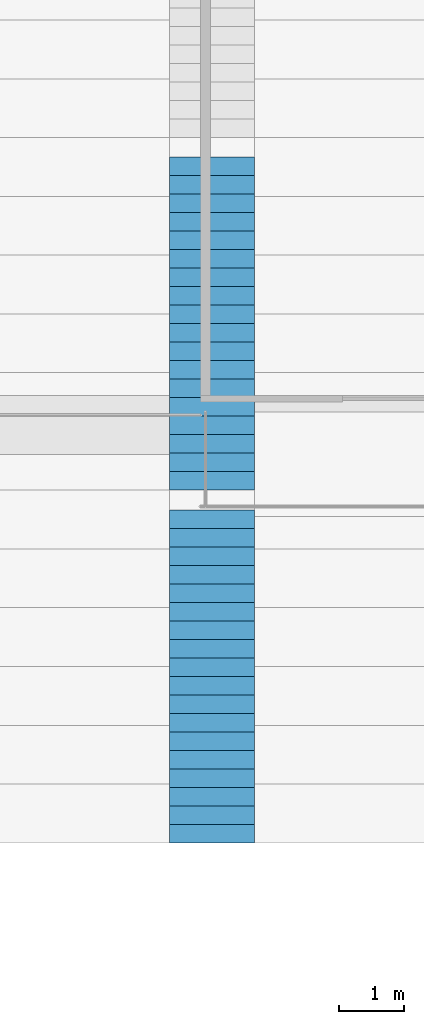
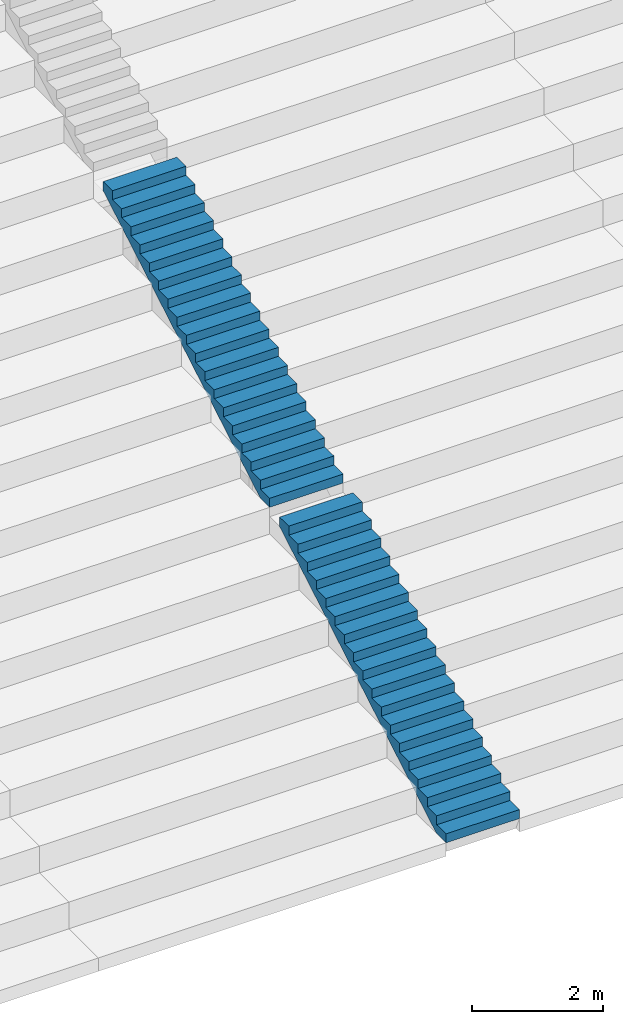
# One storey, part 204 of 249: 2 stair flights, 1 element without a shape of its own.
"""IFC4 building model written with IfcOpenShell, lengths in metres."""

import ifcopenshell
import ifcopenshell.guid

model = None  # the IFC model being written
_history = None  # IfcOwnerHistory: only IFC2X3 demands one
_inside = {}  # id of a spatial element -> (the spatial element, [elements in it])
_under = {}  # id of a project, library or spatial element -> (it, [spatial elements below it])
_declared = {}  # id of a project -> (the project, [libraries it declares])
_typed = {}  # id of a type object -> (the type object, [elements of that type])
_made_of = {}  # id of a material, layer set ... -> (it, [elements and type objects made of it])


def new_model(schema):
    """Start an empty IFC model of exactly this schema.

    Asked for "IFC4X3", IfcOpenShell would pick the latest addendum, in which some entities
    have other attributes; the version numbers below select the first issue.
    IFC2X3 requires an IfcOwnerHistory on every rooted entity: one is made here for all.
    """
    global model, _history
    if schema == "IFC4X3":
        model = ifcopenshell.file(schema_version=(4, 3, 0, 0))
    else:
        model = ifcopenshell.file(schema=schema)
    _inside.clear()
    _under.clear()
    _declared.clear()
    _typed.clear()
    _made_of.clear()
    _history = None
    if model.schema == "IFC2X3":
        org = make("IfcOrganization", Name="unknown")
        user = make(
            "IfcPersonAndOrganization",
            ThePerson=make("IfcPerson", FamilyName="unknown"),
            TheOrganization=org,
        )
        app = make(
            "IfcApplication",
            ApplicationDeveloper=org,
            Version="unknown",
            ApplicationFullName="unknown",
            ApplicationIdentifier="unknown",
        )
        _history = make(
            "IfcOwnerHistory",
            OwningUser=user,
            OwningApplication=app,
            ChangeAction="ADDED",
            CreationDate=0,
        )
    return model


def make(cls, **values):
    """One entity of the class cls with the attributes given. An attribute that is None is left unset."""
    return model.create_entity(
        cls, **{name: value for name, value in values.items() if value is not None}
    )


def rooted(cls, **values):
    """An entity with a GlobalId (a new one), such as an element, a storey or a relation."""
    return make(cls, GlobalId=ifcopenshell.guid.new(), OwnerHistory=_history, **values)


def si_unit(unit_type, name, prefix=None):
    """IfcSIUnit, for example si_unit("LENGTHUNIT", "METRE", prefix="MILLI")."""
    return make("IfcSIUnit", UnitType=unit_type, Prefix=prefix, Name=name)


def assignment(units):
    """IfcUnitAssignment: the units of a project."""
    return None if units is None else make("IfcUnitAssignment", Units=units)


def point(xyz):
    """IfcCartesianPoint."""
    return None if xyz is None else make("IfcCartesianPoint", Coordinates=xyz)


def direction(xyz):
    """IfcDirection."""
    return None if xyz is None else make("IfcDirection", DirectionRatios=xyz)


def frame(location, z_axis=None, x_axis=None):
    """IfcAxis2Placement3D, a coordinate frame: its origin and axes. An axis left out is left unset."""
    return make(
        "IfcAxis2Placement3D",
        Location=point(location),
        Axis=direction(z_axis),
        RefDirection=direction(x_axis),
    )


def origin():
    """The frame at (0, 0, 0) with its axes left unset."""
    return frame((0.0, 0.0, 0.0))


def place(relative_to, where):
    """IfcLocalPlacement: puts the frame where relative to a parent placement (None: the world)."""
    return make(
        "IfcLocalPlacement", PlacementRelTo=relative_to, RelativePlacement=where
    )


def context(
    kind, dimensions, precision=None, world=None, true_north=None, identifier=None
):
    """IfcGeometricRepresentationContext, for example the 3D "Model" context."""
    return make(
        "IfcGeometricRepresentationContext",
        ContextIdentifier=identifier,
        ContextType=kind,
        CoordinateSpaceDimension=dimensions,
        Precision=precision,
        WorldCoordinateSystem=world,
        TrueNorth=true_north,
    )


def subcontext(parent, identifier, kind, view, scale=None):
    """IfcGeometricRepresentationSubContext, for example "Body" below "Model"."""
    return make(
        "IfcGeometricRepresentationSubContext",
        ContextIdentifier=identifier,
        ContextType=kind,
        ParentContext=parent,
        TargetScale=scale,
        TargetView=view,
    )


def project(units=None, contexts=None):
    """IfcProject with its units and contexts."""
    return rooted(
        "IfcProject",
        Name="project",
        RepresentationContexts=contexts,
        UnitsInContext=assignment(units),
    )


def spatial(cls, under=None, at=None, **own):
    """A site, building, storey or space (cls), placed at a placement, below another one or the project."""
    s = rooted(cls, ObjectPlacement=at, **own)
    if under is not None:
        _under.setdefault(under.id(), (under, []))[1].append(s)
    return s


def faces_of(points, faces, orient=None, outer=None):
    """IfcFace entities. A face is a list of loops; a loop is a list of indices into points, from 0.

    orient and outer hold one flag for each loop. By default every Orientation is true, the
    first loop of a face is its IfcFaceOuterBound and the others are IfcFaceBound.
    """
    made = []
    for i, loops in enumerate(faces):
        bounds = []
        for j, loop in enumerate(loops):
            is_outer = j == 0 if outer is None else outer[i][j]
            bounds.append(
                make(
                    "IfcFaceOuterBound" if is_outer else "IfcFaceBound",
                    Bound=make("IfcPolyLoop", Polygon=[points[k] for k in loop]),
                    Orientation=True if orient is None else orient[i][j],
                )
            )
        made.append(make("IfcFace", Bounds=bounds))
    return made


def faceted_brep(points, faces, orient=None, outer=None, voids=None):
    """IfcFacetedBrep: a solid bounded by flat faces; with voids (closed shells), ...WithVoids."""
    shared = [point(p) for p in points]
    hull = make("IfcClosedShell", CfsFaces=faces_of(shared, faces, orient, outer))
    if voids is None:
        return make("IfcFacetedBrep", Outer=hull)
    return make(
        "IfcFacetedBrepWithVoids",
        Outer=hull,
        Voids=[
            make(cls, CfsFaces=faces_of(shared, fs, o, b)) for cls, fs, o, b in voids
        ],
    )


def shape(context_of_items, identifier, shape_type, items):
    """IfcShapeRepresentation: the items that make up one representation, for example the "Body"."""
    return make(
        "IfcShapeRepresentation",
        ContextOfItems=context_of_items,
        RepresentationIdentifier=identifier,
        RepresentationType=shape_type,
        Items=items,
    )


def material(Name=None, Category=None):
    """IfcMaterial."""
    return make("IfcMaterial", Name=Name, Category=Category)


def made_of(thing, what):
    """Note that an element or type object is made of a material, layer set ...; save() writes the relation."""
    if what is not None:
        _made_of.setdefault(what.id(), (what, []))[1].append(thing)
    return thing


def type_object(cls, material=None, **own):
    """A type object (cls), such as IfcWallType, which elements share."""
    return made_of(rooted(cls, **own), material)


def element(
    cls,
    number,
    at=None,
    inside=None,
    cuts=None,
    type_object=None,
    material=None,
    context=None,
    identifier="Body",
    shape_type=None,
    held_by="IfcProductDefinitionShape",
    body=None,
    shapes=None,
    **own,
):
    """One element of the class cls, such as IfcWall. Its Tag is "e" and its number.

    at: its placement. inside: the storey or other place that contains it. cuts: it is an
    opening in that element (IfcRelVoidsElement). A single representation is given by context,
    identifier, shape_type and body (its items); several are given by shapes. held_by: the class
    of the entity that holds the representations. save() writes the other relations.
    """
    e = rooted(cls, Tag="e%d" % number, ObjectPlacement=at, **own)
    if body is not None:
        shapes = [shape(context, identifier, shape_type, body)]
    if shapes is not None:
        e.Representation = make(held_by, Representations=shapes)
    if inside is not None:
        _inside.setdefault(inside.id(), (inside, []))[1].append(e)
    if cuts is not None:
        rooted(
            "IfcRelVoidsElement", RelatingBuildingElement=cuts, RelatedOpeningElement=e
        )
    if type_object is not None:
        _typed.setdefault(type_object.id(), (type_object, []))[1].append(e)
    return made_of(e, material)


def aggregate(whole, parts):
    """IfcRelAggregates: a whole, such as a stair, and the parts it consists of."""
    return rooted("IfcRelAggregates", RelatingObject=whole, RelatedObjects=parts)


def save(model, path):
    """Write the relations noted so far, then the file.

    IfcRelAggregates (storeys below a building ...), IfcRelContainedInSpatialStructure (elements
    in a storey), IfcRelDefinesByType, IfcRelAssociatesMaterial and IfcRelDeclares: one each for
    every whole, place, type object, material and project.
    """
    for whole, parts in _under.values():
        aggregate(whole, parts)
    for where, things in _inside.values():
        rooted(
            "IfcRelContainedInSpatialStructure",
            RelatedElements=things,
            RelatingStructure=where,
        )
    for kind, things in _typed.values():
        rooted("IfcRelDefinesByType", RelatedObjects=things, RelatingType=kind)
    for what, things in _made_of.values():
        rooted("IfcRelAssociatesMaterial", RelatedObjects=things, RelatingMaterial=what)
    for by, libraries in _declared.values():
        rooted("IfcRelDeclares", RelatingContext=by, RelatedDefinitions=libraries)
    model.write(path)


model = new_model("IFC4")

# Units and contexts
model_context = context("Model", 3, precision=1e-05, world=origin(), true_north=direction((0.0, 1.0)))
body_context = subcontext(model_context, "Body", "Model", "MODEL_VIEW")
ifc_project = project(units=[si_unit("LENGTHUNIT", "METRE"), si_unit("AREAUNIT", "SQUARE_METRE"), si_unit("VOLUMEUNIT", "CUBIC_METRE"), si_unit("PLANEANGLEUNIT", "RADIAN"), si_unit("MASSUNIT", "GRAM", prefix="KILO")], contexts=[model_context])

# Site, building, storey
site_placement = place(None, origin())
site = spatial("IfcSite", under=ifc_project, at=site_placement, CompositionType="ELEMENT")
building_placement = place(site_placement, origin())
building = spatial("IfcBuilding", under=site, at=building_placement, Name="Ogive Plaza Stadium", CompositionType="ELEMENT")
storey_placement = place(building_placement, frame((0.0, 0.0, 13.5)))
storey = spatial("IfcBuildingStorey", under=building, at=storey_placement, Name="L03", CompositionType="ELEMENT", Elevation=13.5)

# Stair, stair flights
ifc_material_1 = material(Name="Concrete C40/50", Category="concrete")
stair_type = type_object("IfcStairType", Name="Aisle stair", PredefinedType="STRAIGHT_RUN_STAIR", material=ifc_material_1)
stair_placement = place(storey_placement, origin())
stair = element("IfcStair", 1, at=stair_placement, inside=storey, type_object=stair_type, Name="Aisle stair SA35U", PredefinedType="STRAIGHT_RUN_STAIR")
ifc_material_2 = material(Name="Concrete C40/50", Category="concrete")
stair_flight_type = type_object("IfcStairFlightType", Name="Aisle stair flight", PredefinedType="STRAIGHT", material=ifc_material_2)
stair_flight_1_placement = place(storey_placement, frame((13.60009765625, 74.0, 0.5), z_axis=(0.0, 0.0, 1.0), x_axis=(0.0, 1.0, 0.0)))
stair_flight_1 = element("IfcStairFlight", 2, at=stair_flight_1_placement, type_object=stair_flight_type, Name="SA35U flight 1", NumberOfRisers=18, NumberOfTreads=17, PredefinedType="STRAIGHT", RiserHeight=0.166666667, TreadLength=0.283333333, context=body_context, shape_type="Brep", body=[
    faceted_brep([(0.295654296875, -0.64990234375, 0.0), (5.10009765625, -0.64990234375, 2.826171875), (5.10009765625, -0.64990234375, 3.0), (4.816650390625, -0.64990234375, 3.0), (4.816650390625, -0.64990234375, 2.833251953125), (4.533447265625, -0.64990234375, 2.833251953125), (4.533447265625, -0.64990234375, 2.666748046875), (4.25, -0.64990234375, 2.666748046875), (4.25, -0.64990234375, 2.5), (3.966552734375, -0.64990234375, 2.5), (3.966552734375, -0.64990234375, 2.333251953125), (3.683349609375, -0.64990234375, 2.333251953125), (3.683349609375, -0.64990234375, 2.166748046875), (3.39990234375, -0.64990234375, 2.166748046875), (3.39990234375, -0.64990234375, 2.0), (3.11669921875, -0.64990234375, 2.0), (3.11669921875, -0.64990234375, 1.833251953125), (2.833251953125, -0.64990234375, 1.833251953125), (2.833251953125, -0.64990234375, 1.666748046875), (2.550048828125, -0.64990234375, 1.666748046875), (2.550048828125, -0.64990234375, 1.5), (2.2666015625, -0.64990234375, 1.5), (2.2666015625, -0.64990234375, 1.333251953125), (1.9833984375, -0.64990234375, 1.333251953125), (1.9833984375, -0.64990234375, 1.166748046875), (1.699951171875, -0.64990234375, 1.166748046875), (1.699951171875, -0.64990234375, 1.0), (1.416748046875, -0.64990234375, 1.0), (1.416748046875, -0.64990234375, 0.833251953125), (1.13330078125, -0.64990234375, 0.833251953125), (1.13330078125, -0.64990234375, 0.666748046875), (0.85009765625, -0.64990234375, 0.666748046875), (0.85009765625, -0.64990234375, 0.5), (0.566650390625, -0.64990234375, 0.5), (0.566650390625, -0.64990234375, 0.333251953125), (0.283447265625, -0.64990234375, 0.333251953125), (0.283447265625, -0.64990234375, 0.166748046875), (0.0, -0.64990234375, 0.166748046875), (0.0, -0.64990234375, 0.0), (0.0, 0.64990234375, 0.0), (0.0, 0.64990234375, 0.166748046875), (0.283447265625, 0.64990234375, 0.166748046875), (0.283447265625, 0.64990234375, 0.333251953125), (0.566650390625, 0.64990234375, 0.333251953125), (0.566650390625, 0.64990234375, 0.5), (0.85009765625, 0.64990234375, 0.5), (0.85009765625, 0.64990234375, 0.666748046875), (1.13330078125, 0.64990234375, 0.666748046875), (1.13330078125, 0.64990234375, 0.833251953125), (1.416748046875, 0.64990234375, 0.833251953125), (1.416748046875, 0.64990234375, 1.0), (1.699951171875, 0.64990234375, 1.0), (1.699951171875, 0.64990234375, 1.166748046875), (1.9833984375, 0.64990234375, 1.166748046875), (1.9833984375, 0.64990234375, 1.333251953125), (2.2666015625, 0.64990234375, 1.333251953125), (2.2666015625, 0.64990234375, 1.5), (2.550048828125, 0.64990234375, 1.5), (2.550048828125, 0.64990234375, 1.666748046875), (2.833251953125, 0.64990234375, 1.666748046875), (2.833251953125, 0.64990234375, 1.833251953125), (3.11669921875, 0.64990234375, 1.833251953125), (3.11669921875, 0.64990234375, 2.0), (3.39990234375, 0.64990234375, 2.0), (3.39990234375, 0.64990234375, 2.166748046875), (3.683349609375, 0.64990234375, 2.166748046875), (3.683349609375, 0.64990234375, 2.333251953125), (3.966552734375, 0.64990234375, 2.333251953125), (3.966552734375, 0.64990234375, 2.5), (4.25, 0.64990234375, 2.5), (4.25, 0.64990234375, 2.666748046875), (4.533447265625, 0.64990234375, 2.666748046875), (4.533447265625, 0.64990234375, 2.833251953125), (4.816650390625, 0.64990234375, 2.833251953125), (4.816650390625, 0.64990234375, 3.0), (5.10009765625, 0.64990234375, 3.0), (5.10009765625, 0.64990234375, 2.826171875), (0.295654296875, 0.64990234375, 0.0), (0.295654296875, -0.324951171875, 0.0), (5.10009765625, -0.324951171875, 2.826171875), (0.295654296875, 0.0, 0.0), (5.10009765625, 0.0, 2.826171875), (0.295654296875, 0.324951171875, 0.0), (5.10009765625, 0.324951171875, 2.826171875), (5.10009765625, -0.324951171875, 3.0), (5.10009765625, 0.0, 3.0), (5.10009765625, 0.324951171875, 3.0), (4.816650390625, -0.324951171875, 3.0), (4.816650390625, 0.0, 3.0), (4.816650390625, 0.324951171875, 3.0), (4.816650390625, -0.324951171875, 2.833251953125), (4.816650390625, 0.0, 2.833251953125), (4.816650390625, 0.324951171875, 2.833251953125), (4.533447265625, -0.324951171875, 2.833251953125), (4.533447265625, 0.0, 2.833251953125), (4.533447265625, 0.324951171875, 2.833251953125), (4.533447265625, -0.324951171875, 2.666748046875), (4.533447265625, 0.0, 2.666748046875), (4.533447265625, 0.324951171875, 2.666748046875), (4.25, -0.324951171875, 2.666748046875), (4.25, 0.0, 2.666748046875), (4.25, 0.324951171875, 2.666748046875), (4.25, -0.324951171875, 2.5), (4.25, 0.0, 2.5), (4.25, 0.324951171875, 2.5), (3.966552734375, -0.324951171875, 2.5), (3.966552734375, 0.0, 2.5), (3.966552734375, 0.324951171875, 2.5), (3.966552734375, -0.324951171875, 2.333251953125), (3.966552734375, 0.0, 2.333251953125), (3.966552734375, 0.324951171875, 2.333251953125), (3.683349609375, -0.324951171875, 2.333251953125), (3.683349609375, 0.0, 2.333251953125), (3.683349609375, 0.324951171875, 2.333251953125), (3.683349609375, -0.324951171875, 2.166748046875), (3.683349609375, 0.0, 2.166748046875), (3.683349609375, 0.324951171875, 2.166748046875), (3.39990234375, -0.324951171875, 2.166748046875), (3.39990234375, 0.0, 2.166748046875), (3.39990234375, 0.324951171875, 2.166748046875), (3.39990234375, -0.324951171875, 2.0), (3.39990234375, 0.0, 2.0), (3.39990234375, 0.324951171875, 2.0), (3.11669921875, -0.324951171875, 2.0), (3.11669921875, 0.0, 2.0), (3.11669921875, 0.324951171875, 2.0), (3.11669921875, -0.324951171875, 1.833251953125), (3.11669921875, 0.0, 1.833251953125), (3.11669921875, 0.324951171875, 1.833251953125), (2.833251953125, -0.324951171875, 1.833251953125), (2.833251953125, 0.0, 1.833251953125), (2.833251953125, 0.324951171875, 1.833251953125), (2.833251953125, -0.324951171875, 1.666748046875), (2.833251953125, 0.0, 1.666748046875), (2.833251953125, 0.324951171875, 1.666748046875), (2.550048828125, -0.324951171875, 1.666748046875), (2.550048828125, 0.0, 1.666748046875), (2.550048828125, 0.324951171875, 1.666748046875), (2.550048828125, -0.324951171875, 1.5), (2.550048828125, 0.0, 1.5), (2.550048828125, 0.324951171875, 1.5), (2.2666015625, -0.324951171875, 1.5), (2.2666015625, 0.0, 1.5), (2.2666015625, 0.324951171875, 1.5), (2.2666015625, -0.324951171875, 1.333251953125), (2.2666015625, 0.0, 1.333251953125), (2.2666015625, 0.324951171875, 1.333251953125), (1.9833984375, -0.324951171875, 1.333251953125), (1.9833984375, 0.0, 1.333251953125), (1.9833984375, 0.324951171875, 1.333251953125), (1.9833984375, -0.324951171875, 1.166748046875), (1.9833984375, 0.0, 1.166748046875), (1.9833984375, 0.324951171875, 1.166748046875), (1.699951171875, -0.324951171875, 1.166748046875), (1.699951171875, 0.0, 1.166748046875), (1.699951171875, 0.324951171875, 1.166748046875), (1.699951171875, -0.324951171875, 1.0), (1.699951171875, 0.0, 1.0), (1.699951171875, 0.324951171875, 1.0), (1.416748046875, -0.324951171875, 1.0), (1.416748046875, 0.0, 1.0), (1.416748046875, 0.324951171875, 1.0), (1.416748046875, -0.324951171875, 0.833251953125), (1.416748046875, 0.0, 0.833251953125), (1.416748046875, 0.324951171875, 0.833251953125), (1.13330078125, -0.324951171875, 0.833251953125), (1.13330078125, 0.0, 0.833251953125), (1.13330078125, 0.324951171875, 0.833251953125), (1.13330078125, -0.324951171875, 0.666748046875), (1.13330078125, 0.0, 0.666748046875), (1.13330078125, 0.324951171875, 0.666748046875), (0.85009765625, -0.324951171875, 0.666748046875), (0.85009765625, 0.0, 0.666748046875), (0.85009765625, 0.324951171875, 0.666748046875), (0.85009765625, -0.324951171875, 0.5), (0.85009765625, 0.0, 0.5), (0.85009765625, 0.324951171875, 0.5), (0.566650390625, -0.324951171875, 0.5), (0.566650390625, 0.0, 0.5), (0.566650390625, 0.324951171875, 0.5), (0.566650390625, -0.324951171875, 0.333251953125), (0.566650390625, 0.0, 0.333251953125), (0.566650390625, 0.324951171875, 0.333251953125), (0.283447265625, -0.324951171875, 0.333251953125), (0.283447265625, 0.0, 0.333251953125), (0.283447265625, 0.324951171875, 0.333251953125), (0.283447265625, -0.324951171875, 0.166748046875), (0.283447265625, 0.0, 0.166748046875), (0.283447265625, 0.324951171875, 0.166748046875), (0.0, -0.324951171875, 0.166748046875), (0.0, 0.0, 0.166748046875), (0.0, 0.324951171875, 0.166748046875), (0.0, -0.324951171875, 0.0), (0.0, 0.0, 0.0), (0.0, 0.324951171875, 0.0)], [[[0, 1, 2, 3, 4, 5, 6, 7, 8, 9, 10, 11, 12, 13, 14, 15, 16, 17, 18, 19, 20, 21, 22, 23, 24, 25, 26, 27, 28, 29, 30, 31, 32, 33, 34, 35, 36, 37, 38]], [[39, 40, 41, 42, 43, 44, 45, 46, 47, 48, 49, 50, 51, 52, 53, 54, 55, 56, 57, 58, 59, 60, 61, 62, 63, 64, 65, 66, 67, 68, 69, 70, 71, 72, 73, 74, 75, 76, 77]], [[0, 78, 79, 1]], [[78, 80, 81, 79]], [[80, 82, 83, 81]], [[82, 77, 76, 83]], [[1, 79, 84, 2]], [[79, 81, 85, 84]], [[81, 83, 86, 85]], [[83, 76, 75, 86]], [[2, 84, 87, 3]], [[84, 85, 88, 87]], [[85, 86, 89, 88]], [[86, 75, 74, 89]], [[3, 87, 90, 4]], [[87, 88, 91, 90]], [[88, 89, 92, 91]], [[89, 74, 73, 92]], [[4, 90, 93, 5]], [[90, 91, 94, 93]], [[91, 92, 95, 94]], [[92, 73, 72, 95]], [[5, 93, 96, 6]], [[93, 94, 97, 96]], [[94, 95, 98, 97]], [[95, 72, 71, 98]], [[6, 96, 99, 7]], [[96, 97, 100, 99]], [[97, 98, 101, 100]], [[98, 71, 70, 101]], [[7, 99, 102, 8]], [[99, 100, 103, 102]], [[100, 101, 104, 103]], [[101, 70, 69, 104]], [[8, 102, 105, 9]], [[102, 103, 106, 105]], [[103, 104, 107, 106]], [[104, 69, 68, 107]], [[9, 105, 108, 10]], [[105, 106, 109, 108]], [[106, 107, 110, 109]], [[107, 68, 67, 110]], [[10, 108, 111, 11]], [[108, 109, 112, 111]], [[109, 110, 113, 112]], [[110, 67, 66, 113]], [[11, 111, 114, 12]], [[111, 112, 115, 114]], [[112, 113, 116, 115]], [[113, 66, 65, 116]], [[12, 114, 117, 13]], [[114, 115, 118, 117]], [[115, 116, 119, 118]], [[116, 65, 64, 119]], [[13, 117, 120, 14]], [[117, 118, 121, 120]], [[118, 119, 122, 121]], [[119, 64, 63, 122]], [[14, 120, 123, 15]], [[120, 121, 124, 123]], [[121, 122, 125, 124]], [[122, 63, 62, 125]], [[15, 123, 126, 16]], [[123, 124, 127, 126]], [[124, 125, 128, 127]], [[125, 62, 61, 128]], [[16, 126, 129, 17]], [[126, 127, 130, 129]], [[127, 128, 131, 130]], [[128, 61, 60, 131]], [[17, 129, 132, 18]], [[129, 130, 133, 132]], [[130, 131, 134, 133]], [[131, 60, 59, 134]], [[18, 132, 135, 19]], [[132, 133, 136, 135]], [[133, 134, 137, 136]], [[134, 59, 58, 137]], [[19, 135, 138, 20]], [[135, 136, 139, 138]], [[136, 137, 140, 139]], [[137, 58, 57, 140]], [[20, 138, 141, 21]], [[138, 139, 142, 141]], [[139, 140, 143, 142]], [[140, 57, 56, 143]], [[21, 141, 144, 22]], [[141, 142, 145, 144]], [[142, 143, 146, 145]], [[143, 56, 55, 146]], [[22, 144, 147, 23]], [[144, 145, 148, 147]], [[145, 146, 149, 148]], [[146, 55, 54, 149]], [[23, 147, 150, 24]], [[147, 148, 151, 150]], [[148, 149, 152, 151]], [[149, 54, 53, 152]], [[24, 150, 153, 25]], [[150, 151, 154, 153]], [[151, 152, 155, 154]], [[152, 53, 52, 155]], [[25, 153, 156, 26]], [[153, 154, 157, 156]], [[154, 155, 158, 157]], [[155, 52, 51, 158]], [[26, 156, 159, 27]], [[156, 157, 160, 159]], [[157, 158, 161, 160]], [[158, 51, 50, 161]], [[27, 159, 162, 28]], [[159, 160, 163, 162]], [[160, 161, 164, 163]], [[161, 50, 49, 164]], [[28, 162, 165, 29]], [[162, 163, 166, 165]], [[163, 164, 167, 166]], [[164, 49, 48, 167]], [[29, 165, 168, 30]], [[165, 166, 169, 168]], [[166, 167, 170, 169]], [[167, 48, 47, 170]], [[30, 168, 171, 31]], [[168, 169, 172, 171]], [[169, 170, 173, 172]], [[170, 47, 46, 173]], [[31, 171, 174, 32]], [[171, 172, 175, 174]], [[172, 173, 176, 175]], [[173, 46, 45, 176]], [[32, 174, 177, 33]], [[174, 175, 178, 177]], [[175, 176, 179, 178]], [[176, 45, 44, 179]], [[33, 177, 180, 34]], [[177, 178, 181, 180]], [[178, 179, 182, 181]], [[179, 44, 43, 182]], [[34, 180, 183, 35]], [[180, 181, 184, 183]], [[181, 182, 185, 184]], [[182, 43, 42, 185]], [[35, 183, 186, 36]], [[183, 184, 187, 186]], [[184, 185, 188, 187]], [[185, 42, 41, 188]], [[36, 186, 189, 37]], [[186, 187, 190, 189]], [[187, 188, 191, 190]], [[188, 41, 40, 191]], [[37, 189, 192, 38]], [[189, 190, 193, 192]], [[190, 191, 194, 193]], [[191, 40, 39, 194]], [[38, 192, 78, 0]], [[192, 193, 80, 78]], [[193, 194, 82, 80]], [[194, 39, 77, 82]]]),
])
stair_flight_2_placement = place(storey_placement, frame((13.60009765625, 79.39990234375, 3.5), z_axis=(0.0, 0.0, 1.0), x_axis=(0.0, 1.0, 0.0)))
stair_flight_2 = element("IfcStairFlight", 3, at=stair_flight_2_placement, type_object=stair_flight_type, Name="SA35U flight 2", NumberOfRisers=18, NumberOfTreads=17, PredefinedType="STRAIGHT", RiserHeight=0.166666667, TreadLength=0.283333333, context=body_context, shape_type="Brep", body=[
    faceted_brep([(0.295654296875, -0.64990234375, 0.0), (5.10009765625, -0.64990234375, 2.826171875), (5.10009765625, -0.64990234375, 3.0), (4.816650390625, -0.64990234375, 3.0), (4.816650390625, -0.64990234375, 2.833251953125), (4.533447265625, -0.64990234375, 2.833251953125), (4.533447265625, -0.64990234375, 2.666748046875), (4.25, -0.64990234375, 2.666748046875), (4.25, -0.64990234375, 2.5), (3.966552734375, -0.64990234375, 2.5), (3.966552734375, -0.64990234375, 2.333251953125), (3.683349609375, -0.64990234375, 2.333251953125), (3.683349609375, -0.64990234375, 2.166748046875), (3.39990234375, -0.64990234375, 2.166748046875), (3.39990234375, -0.64990234375, 2.0), (3.11669921875, -0.64990234375, 2.0), (3.11669921875, -0.64990234375, 1.833251953125), (2.833251953125, -0.64990234375, 1.833251953125), (2.833251953125, -0.64990234375, 1.666748046875), (2.550048828125, -0.64990234375, 1.666748046875), (2.550048828125, -0.64990234375, 1.5), (2.2666015625, -0.64990234375, 1.5), (2.2666015625, -0.64990234375, 1.333251953125), (1.9833984375, -0.64990234375, 1.333251953125), (1.9833984375, -0.64990234375, 1.166748046875), (1.699951171875, -0.64990234375, 1.166748046875), (1.699951171875, -0.64990234375, 1.0), (1.416748046875, -0.64990234375, 1.0), (1.416748046875, -0.64990234375, 0.833251953125), (1.13330078125, -0.64990234375, 0.833251953125), (1.13330078125, -0.64990234375, 0.666748046875), (0.85009765625, -0.64990234375, 0.666748046875), (0.85009765625, -0.64990234375, 0.5), (0.566650390625, -0.64990234375, 0.5), (0.566650390625, -0.64990234375, 0.333251953125), (0.283447265625, -0.64990234375, 0.333251953125), (0.283447265625, -0.64990234375, 0.166748046875), (0.0, -0.64990234375, 0.166748046875), (0.0, -0.64990234375, 0.0), (0.0, 0.64990234375, 0.0), (0.0, 0.64990234375, 0.166748046875), (0.283447265625, 0.64990234375, 0.166748046875), (0.283447265625, 0.64990234375, 0.333251953125), (0.566650390625, 0.64990234375, 0.333251953125), (0.566650390625, 0.64990234375, 0.5), (0.85009765625, 0.64990234375, 0.5), (0.85009765625, 0.64990234375, 0.666748046875), (1.13330078125, 0.64990234375, 0.666748046875), (1.13330078125, 0.64990234375, 0.833251953125), (1.416748046875, 0.64990234375, 0.833251953125), (1.416748046875, 0.64990234375, 1.0), (1.699951171875, 0.64990234375, 1.0), (1.699951171875, 0.64990234375, 1.166748046875), (1.9833984375, 0.64990234375, 1.166748046875), (1.9833984375, 0.64990234375, 1.333251953125), (2.2666015625, 0.64990234375, 1.333251953125), (2.2666015625, 0.64990234375, 1.5), (2.550048828125, 0.64990234375, 1.5), (2.550048828125, 0.64990234375, 1.666748046875), (2.833251953125, 0.64990234375, 1.666748046875), (2.833251953125, 0.64990234375, 1.833251953125), (3.11669921875, 0.64990234375, 1.833251953125), (3.11669921875, 0.64990234375, 2.0), (3.39990234375, 0.64990234375, 2.0), (3.39990234375, 0.64990234375, 2.166748046875), (3.683349609375, 0.64990234375, 2.166748046875), (3.683349609375, 0.64990234375, 2.333251953125), (3.966552734375, 0.64990234375, 2.333251953125), (3.966552734375, 0.64990234375, 2.5), (4.25, 0.64990234375, 2.5), (4.25, 0.64990234375, 2.666748046875), (4.533447265625, 0.64990234375, 2.666748046875), (4.533447265625, 0.64990234375, 2.833251953125), (4.816650390625, 0.64990234375, 2.833251953125), (4.816650390625, 0.64990234375, 3.0), (5.10009765625, 0.64990234375, 3.0), (5.10009765625, 0.64990234375, 2.826171875), (0.295654296875, 0.64990234375, 0.0), (0.295654296875, -0.324951171875, 0.0), (5.10009765625, -0.324951171875, 2.826171875), (0.295654296875, 0.0, 0.0), (5.10009765625, 0.0, 2.826171875), (0.295654296875, 0.324951171875, 0.0), (5.10009765625, 0.324951171875, 2.826171875), (5.10009765625, -0.324951171875, 3.0), (5.10009765625, 0.0, 3.0), (5.10009765625, 0.324951171875, 3.0), (4.816650390625, -0.324951171875, 3.0), (4.816650390625, 0.0, 3.0), (4.816650390625, 0.324951171875, 3.0), (4.816650390625, -0.324951171875, 2.833251953125), (4.816650390625, 0.0, 2.833251953125), (4.816650390625, 0.324951171875, 2.833251953125), (4.533447265625, -0.324951171875, 2.833251953125), (4.533447265625, 0.0, 2.833251953125), (4.533447265625, 0.324951171875, 2.833251953125), (4.533447265625, -0.324951171875, 2.666748046875), (4.533447265625, 0.0, 2.666748046875), (4.533447265625, 0.324951171875, 2.666748046875), (4.25, -0.324951171875, 2.666748046875), (4.25, 0.0, 2.666748046875), (4.25, 0.324951171875, 2.666748046875), (4.25, -0.324951171875, 2.5), (4.25, 0.0, 2.5), (4.25, 0.324951171875, 2.5), (3.966552734375, -0.324951171875, 2.5), (3.966552734375, 0.0, 2.5), (3.966552734375, 0.324951171875, 2.5), (3.966552734375, -0.324951171875, 2.333251953125), (3.966552734375, 0.0, 2.333251953125), (3.966552734375, 0.324951171875, 2.333251953125), (3.683349609375, -0.324951171875, 2.333251953125), (3.683349609375, 0.0, 2.333251953125), (3.683349609375, 0.324951171875, 2.333251953125), (3.683349609375, -0.324951171875, 2.166748046875), (3.683349609375, 0.0, 2.166748046875), (3.683349609375, 0.324951171875, 2.166748046875), (3.39990234375, -0.324951171875, 2.166748046875), (3.39990234375, 0.0, 2.166748046875), (3.39990234375, 0.324951171875, 2.166748046875), (3.39990234375, -0.324951171875, 2.0), (3.39990234375, 0.0, 2.0), (3.39990234375, 0.324951171875, 2.0), (3.11669921875, -0.324951171875, 2.0), (3.11669921875, 0.0, 2.0), (3.11669921875, 0.324951171875, 2.0), (3.11669921875, -0.324951171875, 1.833251953125), (3.11669921875, 0.0, 1.833251953125), (3.11669921875, 0.324951171875, 1.833251953125), (2.833251953125, -0.324951171875, 1.833251953125), (2.833251953125, 0.0, 1.833251953125), (2.833251953125, 0.324951171875, 1.833251953125), (2.833251953125, -0.324951171875, 1.666748046875), (2.833251953125, 0.0, 1.666748046875), (2.833251953125, 0.324951171875, 1.666748046875), (2.550048828125, -0.324951171875, 1.666748046875), (2.550048828125, 0.0, 1.666748046875), (2.550048828125, 0.324951171875, 1.666748046875), (2.550048828125, -0.324951171875, 1.5), (2.550048828125, 0.0, 1.5), (2.550048828125, 0.324951171875, 1.5), (2.2666015625, -0.324951171875, 1.5), (2.2666015625, 0.0, 1.5), (2.2666015625, 0.324951171875, 1.5), (2.2666015625, -0.324951171875, 1.333251953125), (2.2666015625, 0.0, 1.333251953125), (2.2666015625, 0.324951171875, 1.333251953125), (1.9833984375, -0.324951171875, 1.333251953125), (1.9833984375, 0.0, 1.333251953125), (1.9833984375, 0.324951171875, 1.333251953125), (1.9833984375, -0.324951171875, 1.166748046875), (1.9833984375, 0.0, 1.166748046875), (1.9833984375, 0.324951171875, 1.166748046875), (1.699951171875, -0.324951171875, 1.166748046875), (1.699951171875, 0.0, 1.166748046875), (1.699951171875, 0.324951171875, 1.166748046875), (1.699951171875, -0.324951171875, 1.0), (1.699951171875, 0.0, 1.0), (1.699951171875, 0.324951171875, 1.0), (1.416748046875, -0.324951171875, 1.0), (1.416748046875, 0.0, 1.0), (1.416748046875, 0.324951171875, 1.0), (1.416748046875, -0.324951171875, 0.833251953125), (1.416748046875, 0.0, 0.833251953125), (1.416748046875, 0.324951171875, 0.833251953125), (1.13330078125, -0.324951171875, 0.833251953125), (1.13330078125, 0.0, 0.833251953125), (1.13330078125, 0.324951171875, 0.833251953125), (1.13330078125, -0.324951171875, 0.666748046875), (1.13330078125, 0.0, 0.666748046875), (1.13330078125, 0.324951171875, 0.666748046875), (0.85009765625, -0.324951171875, 0.666748046875), (0.85009765625, 0.0, 0.666748046875), (0.85009765625, 0.324951171875, 0.666748046875), (0.85009765625, -0.324951171875, 0.5), (0.85009765625, 0.0, 0.5), (0.85009765625, 0.324951171875, 0.5), (0.566650390625, -0.324951171875, 0.5), (0.566650390625, 0.0, 0.5), (0.566650390625, 0.324951171875, 0.5), (0.566650390625, -0.324951171875, 0.333251953125), (0.566650390625, 0.0, 0.333251953125), (0.566650390625, 0.324951171875, 0.333251953125), (0.283447265625, -0.324951171875, 0.333251953125), (0.283447265625, 0.0, 0.333251953125), (0.283447265625, 0.324951171875, 0.333251953125), (0.283447265625, -0.324951171875, 0.166748046875), (0.283447265625, 0.0, 0.166748046875), (0.283447265625, 0.324951171875, 0.166748046875), (0.0, -0.324951171875, 0.166748046875), (0.0, 0.0, 0.166748046875), (0.0, 0.324951171875, 0.166748046875), (0.0, -0.324951171875, 0.0), (0.0, 0.0, 0.0), (0.0, 0.324951171875, 0.0)], [[[0, 1, 2, 3, 4, 5, 6, 7, 8, 9, 10, 11, 12, 13, 14, 15, 16, 17, 18, 19, 20, 21, 22, 23, 24, 25, 26, 27, 28, 29, 30, 31, 32, 33, 34, 35, 36, 37, 38]], [[39, 40, 41, 42, 43, 44, 45, 46, 47, 48, 49, 50, 51, 52, 53, 54, 55, 56, 57, 58, 59, 60, 61, 62, 63, 64, 65, 66, 67, 68, 69, 70, 71, 72, 73, 74, 75, 76, 77]], [[0, 78, 79, 1]], [[78, 80, 81, 79]], [[80, 82, 83, 81]], [[82, 77, 76, 83]], [[1, 79, 84, 2]], [[79, 81, 85, 84]], [[81, 83, 86, 85]], [[83, 76, 75, 86]], [[2, 84, 87, 3]], [[84, 85, 88, 87]], [[85, 86, 89, 88]], [[86, 75, 74, 89]], [[3, 87, 90, 4]], [[87, 88, 91, 90]], [[88, 89, 92, 91]], [[89, 74, 73, 92]], [[4, 90, 93, 5]], [[90, 91, 94, 93]], [[91, 92, 95, 94]], [[92, 73, 72, 95]], [[5, 93, 96, 6]], [[93, 94, 97, 96]], [[94, 95, 98, 97]], [[95, 72, 71, 98]], [[6, 96, 99, 7]], [[96, 97, 100, 99]], [[97, 98, 101, 100]], [[98, 71, 70, 101]], [[7, 99, 102, 8]], [[99, 100, 103, 102]], [[100, 101, 104, 103]], [[101, 70, 69, 104]], [[8, 102, 105, 9]], [[102, 103, 106, 105]], [[103, 104, 107, 106]], [[104, 69, 68, 107]], [[9, 105, 108, 10]], [[105, 106, 109, 108]], [[106, 107, 110, 109]], [[107, 68, 67, 110]], [[10, 108, 111, 11]], [[108, 109, 112, 111]], [[109, 110, 113, 112]], [[110, 67, 66, 113]], [[11, 111, 114, 12]], [[111, 112, 115, 114]], [[112, 113, 116, 115]], [[113, 66, 65, 116]], [[12, 114, 117, 13]], [[114, 115, 118, 117]], [[115, 116, 119, 118]], [[116, 65, 64, 119]], [[13, 117, 120, 14]], [[117, 118, 121, 120]], [[118, 119, 122, 121]], [[119, 64, 63, 122]], [[14, 120, 123, 15]], [[120, 121, 124, 123]], [[121, 122, 125, 124]], [[122, 63, 62, 125]], [[15, 123, 126, 16]], [[123, 124, 127, 126]], [[124, 125, 128, 127]], [[125, 62, 61, 128]], [[16, 126, 129, 17]], [[126, 127, 130, 129]], [[127, 128, 131, 130]], [[128, 61, 60, 131]], [[17, 129, 132, 18]], [[129, 130, 133, 132]], [[130, 131, 134, 133]], [[131, 60, 59, 134]], [[18, 132, 135, 19]], [[132, 133, 136, 135]], [[133, 134, 137, 136]], [[134, 59, 58, 137]], [[19, 135, 138, 20]], [[135, 136, 139, 138]], [[136, 137, 140, 139]], [[137, 58, 57, 140]], [[20, 138, 141, 21]], [[138, 139, 142, 141]], [[139, 140, 143, 142]], [[140, 57, 56, 143]], [[21, 141, 144, 22]], [[141, 142, 145, 144]], [[142, 143, 146, 145]], [[143, 56, 55, 146]], [[22, 144, 147, 23]], [[144, 145, 148, 147]], [[145, 146, 149, 148]], [[146, 55, 54, 149]], [[23, 147, 150, 24]], [[147, 148, 151, 150]], [[148, 149, 152, 151]], [[149, 54, 53, 152]], [[24, 150, 153, 25]], [[150, 151, 154, 153]], [[151, 152, 155, 154]], [[152, 53, 52, 155]], [[25, 153, 156, 26]], [[153, 154, 157, 156]], [[154, 155, 158, 157]], [[155, 52, 51, 158]], [[26, 156, 159, 27]], [[156, 157, 160, 159]], [[157, 158, 161, 160]], [[158, 51, 50, 161]], [[27, 159, 162, 28]], [[159, 160, 163, 162]], [[160, 161, 164, 163]], [[161, 50, 49, 164]], [[28, 162, 165, 29]], [[162, 163, 166, 165]], [[163, 164, 167, 166]], [[164, 49, 48, 167]], [[29, 165, 168, 30]], [[165, 166, 169, 168]], [[166, 167, 170, 169]], [[167, 48, 47, 170]], [[30, 168, 171, 31]], [[168, 169, 172, 171]], [[169, 170, 173, 172]], [[170, 47, 46, 173]], [[31, 171, 174, 32]], [[171, 172, 175, 174]], [[172, 173, 176, 175]], [[173, 46, 45, 176]], [[32, 174, 177, 33]], [[174, 175, 178, 177]], [[175, 176, 179, 178]], [[176, 45, 44, 179]], [[33, 177, 180, 34]], [[177, 178, 181, 180]], [[178, 179, 182, 181]], [[179, 44, 43, 182]], [[34, 180, 183, 35]], [[180, 181, 184, 183]], [[181, 182, 185, 184]], [[182, 43, 42, 185]], [[35, 183, 186, 36]], [[183, 184, 187, 186]], [[184, 185, 188, 187]], [[185, 42, 41, 188]], [[36, 186, 189, 37]], [[186, 187, 190, 189]], [[187, 188, 191, 190]], [[188, 41, 40, 191]], [[37, 189, 192, 38]], [[189, 190, 193, 192]], [[190, 191, 194, 193]], [[191, 40, 39, 194]], [[38, 192, 78, 0]], [[192, 193, 80, 78]], [[193, 194, 82, 80]], [[194, 39, 77, 82]]]),
])
aggregate(stair, [stair_flight_1, stair_flight_2])

save(model, "model.ifc")
